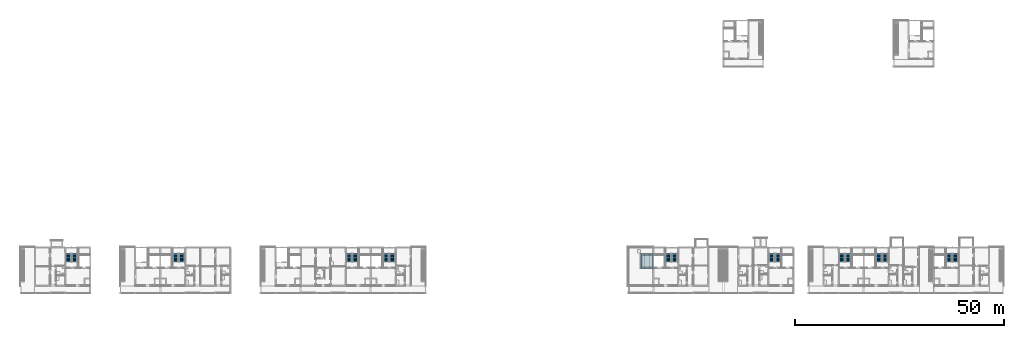
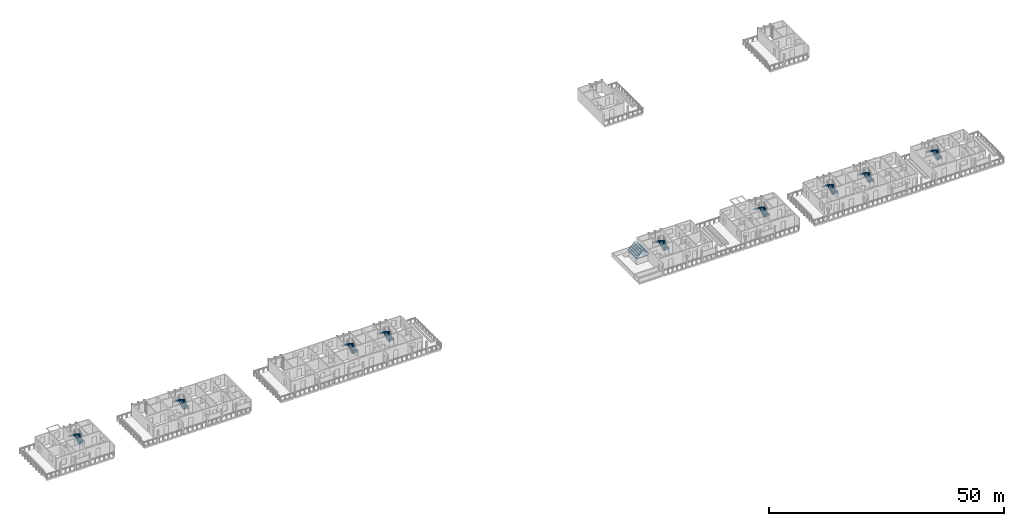
# One storey, part 40 of 55: 18 stair flights, 1 roof, 9 elements without a shape of their own.
"""IFC4 building model written with IfcOpenShell, lengths in metres."""

from ifc_helpers import new_model, si_unit, direction, frame, origin, place, context, subcontext, project, spatial, polyline, outline, extrude, material, type_object, element, aggregate, save


model = new_model("IFC4")

# Units and contexts
model_context = context("Model", 3, precision=1e-05, world=origin(), true_north=direction((0.0, 1.0)))
body_context = subcontext(model_context, "Body", "Model", "MODEL_VIEW")
ifc_project = project(units=[si_unit("LENGTHUNIT", "METRE"), si_unit("AREAUNIT", "SQUARE_METRE"), si_unit("VOLUMEUNIT", "CUBIC_METRE"), si_unit("PLANEANGLEUNIT", "RADIAN"), si_unit("MASSUNIT", "GRAM", prefix="KILO")], contexts=[model_context])

# Site, building, storey
site_placement = place(None, origin())
site = spatial("IfcSite", under=ifc_project, at=site_placement, CompositionType="ELEMENT")
building_placement = place(site_placement, origin())
building = spatial("IfcBuilding", under=site, at=building_placement, Name="Ridgestep Commons", CompositionType="ELEMENT")
storey_placement = place(building_placement, frame((0.0, 0.0, 36.0)))
storey = spatial("IfcBuildingStorey", under=building, at=storey_placement, Name="L12", CompositionType="ELEMENT", Elevation=36.0)

# Stair, stair flights
ifc_material_1 = material(Name="Precast concrete C40/50", Category="concrete")
stair_type = type_object("IfcStairType", Name="Escape stair 1400", PredefinedType="HALF_TURN_STAIR", material=ifc_material_1)
stair_1_placement = place(storey_placement, origin())
stair_1 = element("IfcStair", 1, at=stair_1_placement, inside=storey, type_object=stair_type, Name="L12 Escape stair A1C", PredefinedType="HALF_TURN_STAIR")
ifc_material_2 = material(Name="Precast concrete C40/50", Category="concrete")
stair_flight_type = type_object("IfcStairFlightType", Name="Stair flight 1400", PredefinedType="STRAIGHT", material=ifc_material_2)
stair_flight_1_placement = place(storey_placement, frame((25.125, 19.35009765625, 0.0), z_axis=(0.0, 0.0, 1.0), x_axis=(0.0, 1.0, 0.0)))
stair_flight_1 = element("IfcStairFlight", 2, at=stair_flight_1_placement, type_object=stair_flight_type, Name="A1C flight 1", NumberOfRisers=8, NumberOfTreads=7, PredefinedType="STRAIGHT", RiserHeight=0.1875, TreadLength=0.28, context=body_context, shape_type="SweptSolid", body=[
    extrude(outline(polyline([(0.0, 0.0), (0.0, 0.1875), (0.280029296875, 0.1875), (0.280029296875, 0.375), (0.56005859375, 0.375), (0.56005859375, 0.5625), (0.840087890625, 0.5625), (0.840087890625, 0.75), (1.1201171875, 0.75), (1.1201171875, 0.9375), (1.39990234375, 0.9375), (1.39990234375, 1.125), (1.679931640625, 1.125), (1.679931640625, 1.3125), (1.9599609375, 1.3125), (1.9599609375, 1.5), (1.9599609375, 1.132080078125), (0.26953125, 0.0), (0.0, 0.0)])), frame((0.0, 0.699951171875, 0.0), z_axis=(0.0, -1.0, 0.0), x_axis=(1.0, 0.0, 0.0)), (0.0, 0.0, 1.0), 0.695068359375),
    extrude(outline(polyline([(0.0, 0.0), (0.0, 0.1875), (0.280029296875, 0.1875), (0.280029296875, 0.375), (0.56005859375, 0.375), (0.56005859375, 0.5625), (0.840087890625, 0.5625), (0.840087890625, 0.75), (1.1201171875, 0.75), (1.1201171875, 0.9375), (1.39990234375, 0.9375), (1.39990234375, 1.125), (1.679931640625, 1.125), (1.679931640625, 1.3125), (1.9599609375, 1.3125), (1.9599609375, 1.5), (1.9599609375, 1.132080078125), (0.26953125, 0.0), (0.0, 0.0)])), frame((0.0, -0.0048828125, 0.0), z_axis=(0.0, -1.0, 0.0), x_axis=(1.0, 0.0, 0.0)), (0.0, 0.0, 1.0), 0.695068359375),
])
stair_flight_2_placement = place(storey_placement, frame((23.625, 21.31005859375, 1.5), z_axis=(0.0, 0.0, 1.0), x_axis=(0.0, -1.0, 0.0)))
stair_flight_2 = element("IfcStairFlight", 3, at=stair_flight_2_placement, type_object=stair_flight_type, Name="A1C flight 2", NumberOfRisers=8, NumberOfTreads=7, PredefinedType="STRAIGHT", RiserHeight=0.1875, TreadLength=0.28, context=body_context, shape_type="SweptSolid", body=[
    extrude(outline(polyline([(0.0, 0.0), (0.0, 0.1875), (0.280029296875, 0.1875), (0.280029296875, 0.375), (0.56005859375, 0.375), (0.56005859375, 0.5625), (0.840087890625, 0.5625), (0.840087890625, 0.75), (1.1201171875, 0.75), (1.1201171875, 0.9375), (1.39990234375, 0.9375), (1.39990234375, 1.125), (1.679931640625, 1.125), (1.679931640625, 1.3125), (1.9599609375, 1.3125), (1.9599609375, 1.5), (1.9599609375, 1.132080078125), (0.26953125, 0.0), (0.0, 0.0)])), frame((0.0, 0.699951171875, 0.0), z_axis=(0.0, -1.0, 0.0), x_axis=(1.0, 0.0, 0.0)), (0.0, 0.0, 1.0), 0.695068359375),
    extrude(outline(polyline([(0.0, 0.0), (0.0, 0.1875), (0.280029296875, 0.1875), (0.280029296875, 0.375), (0.56005859375, 0.375), (0.56005859375, 0.5625), (0.840087890625, 0.5625), (0.840087890625, 0.75), (1.1201171875, 0.75), (1.1201171875, 0.9375), (1.39990234375, 0.9375), (1.39990234375, 1.125), (1.679931640625, 1.125), (1.679931640625, 1.3125), (1.9599609375, 1.3125), (1.9599609375, 1.5), (1.9599609375, 1.132080078125), (0.26953125, 0.0), (0.0, 0.0)])), frame((0.0, -0.0048828125, 0.0), z_axis=(0.0, -1.0, 0.0), x_axis=(1.0, 0.0, 0.0)), (0.0, 0.0, 1.0), 0.695068359375),
])
aggregate(stair_1, [stair_flight_1, stair_flight_2])

stair_2_placement = place(storey_placement, origin())
stair_2 = element("IfcStair", 4, at=stair_2_placement, inside=storey, type_object=stair_type, Name="L12 Escape stair A3C", PredefinedType="HALF_TURN_STAIR")
stair_flight_3_placement = place(storey_placement, frame((50.77490234375, 19.35009765625, 0.0), z_axis=(0.0, 0.0, 1.0), x_axis=(0.0, 1.0, 0.0)))
stair_flight_3 = element("IfcStairFlight", 5, at=stair_flight_3_placement, type_object=stair_flight_type, Name="A3C flight 1", NumberOfRisers=8, NumberOfTreads=7, PredefinedType="STRAIGHT", RiserHeight=0.1875, TreadLength=0.28, context=body_context, shape_type="SweptSolid", body=[
    extrude(outline(polyline([(0.0, 0.0), (0.0, 0.1875), (0.280029296875, 0.1875), (0.280029296875, 0.375), (0.56005859375, 0.375), (0.56005859375, 0.5625), (0.840087890625, 0.5625), (0.840087890625, 0.75), (1.1201171875, 0.75), (1.1201171875, 0.9375), (1.39990234375, 0.9375), (1.39990234375, 1.125), (1.679931640625, 1.125), (1.679931640625, 1.3125), (1.9599609375, 1.3125), (1.9599609375, 1.5), (1.9599609375, 1.132080078125), (0.26953125, 0.0), (0.0, 0.0)])), frame((0.0, 0.699951171875, 0.0), z_axis=(0.0, -1.0, 0.0), x_axis=(1.0, 0.0, 0.0)), (0.0, 0.0, 1.0), 0.695068359375),
    extrude(outline(polyline([(0.0, 0.0), (0.0, 0.1875), (0.280029296875, 0.1875), (0.280029296875, 0.375), (0.56005859375, 0.375), (0.56005859375, 0.5625), (0.840087890625, 0.5625), (0.840087890625, 0.75), (1.1201171875, 0.75), (1.1201171875, 0.9375), (1.39990234375, 0.9375), (1.39990234375, 1.125), (1.679931640625, 1.125), (1.679931640625, 1.3125), (1.9599609375, 1.3125), (1.9599609375, 1.5), (1.9599609375, 1.132080078125), (0.26953125, 0.0), (0.0, 0.0)])), frame((0.0, -0.0048828125, 0.0), z_axis=(0.0, -1.0, 0.0), x_axis=(1.0, 0.0, 0.0)), (0.0, 0.0, 1.0), 0.695068359375),
])
stair_flight_4_placement = place(storey_placement, frame((49.27490234375, 21.31005859375, 1.5), z_axis=(0.0, 0.0, 1.0), x_axis=(0.0, -1.0, 0.0)))
stair_flight_4 = element("IfcStairFlight", 6, at=stair_flight_4_placement, type_object=stair_flight_type, Name="A3C flight 2", NumberOfRisers=8, NumberOfTreads=7, PredefinedType="STRAIGHT", RiserHeight=0.1875, TreadLength=0.28, context=body_context, shape_type="SweptSolid", body=[
    extrude(outline(polyline([(0.0, 0.0), (0.0, 0.1875), (0.280029296875, 0.1875), (0.280029296875, 0.375), (0.56005859375, 0.375), (0.56005859375, 0.5625), (0.840087890625, 0.5625), (0.840087890625, 0.75), (1.1201171875, 0.75), (1.1201171875, 0.9375), (1.39990234375, 0.9375), (1.39990234375, 1.125), (1.679931640625, 1.125), (1.679931640625, 1.3125), (1.9599609375, 1.3125), (1.9599609375, 1.5), (1.9599609375, 1.132080078125), (0.26953125, 0.0), (0.0, 0.0)])), frame((0.0, 0.699951171875, 0.0), z_axis=(0.0, -1.0, 0.0), x_axis=(1.0, 0.0, 0.0)), (0.0, 0.0, 1.0), 0.695068359375),
    extrude(outline(polyline([(0.0, 0.0), (0.0, 0.1875), (0.280029296875, 0.1875), (0.280029296875, 0.375), (0.56005859375, 0.375), (0.56005859375, 0.5625), (0.840087890625, 0.5625), (0.840087890625, 0.75), (1.1201171875, 0.75), (1.1201171875, 0.9375), (1.39990234375, 0.9375), (1.39990234375, 1.125), (1.679931640625, 1.125), (1.679931640625, 1.3125), (1.9599609375, 1.3125), (1.9599609375, 1.5), (1.9599609375, 1.132080078125), (0.26953125, 0.0), (0.0, 0.0)])), frame((0.0, -0.0048828125, 0.0), z_axis=(0.0, -1.0, 0.0), x_axis=(1.0, 0.0, 0.0)), (0.0, 0.0, 1.0), 0.695068359375),
])
aggregate(stair_2, [stair_flight_3, stair_flight_4])

stair_3_placement = place(storey_placement, origin())
stair_3 = element("IfcStair", 7, at=stair_3_placement, inside=storey, type_object=stair_type, Name="L12 Escape stair A5C", PredefinedType="HALF_TURN_STAIR")
stair_flight_5_placement = place(storey_placement, frame((92.324951171875, 19.35009765625, 0.0), z_axis=(0.0, 0.0, 1.0), x_axis=(0.0, 1.0, 0.0)))
stair_flight_5 = element("IfcStairFlight", 8, at=stair_flight_5_placement, type_object=stair_flight_type, Name="A5C flight 1", NumberOfRisers=8, NumberOfTreads=7, PredefinedType="STRAIGHT", RiserHeight=0.1875, TreadLength=0.28, context=body_context, shape_type="SweptSolid", body=[
    extrude(outline(polyline([(0.0, 0.0), (0.0, 0.1875), (0.280029296875, 0.1875), (0.280029296875, 0.375), (0.56005859375, 0.375), (0.56005859375, 0.5625), (0.840087890625, 0.5625), (0.840087890625, 0.75), (1.1201171875, 0.75), (1.1201171875, 0.9375), (1.39990234375, 0.9375), (1.39990234375, 1.125), (1.679931640625, 1.125), (1.679931640625, 1.3125), (1.9599609375, 1.3125), (1.9599609375, 1.5), (1.9599609375, 1.132080078125), (0.26953125, 0.0), (0.0, 0.0)])), frame((0.0, 0.699951171875, 0.0), z_axis=(0.0, -1.0, 0.0), x_axis=(1.0, 0.0, 0.0)), (0.0, 0.0, 1.0), 0.695068359375),
    extrude(outline(polyline([(0.0, 0.0), (0.0, 0.1875), (0.280029296875, 0.1875), (0.280029296875, 0.375), (0.56005859375, 0.375), (0.56005859375, 0.5625), (0.840087890625, 0.5625), (0.840087890625, 0.75), (1.1201171875, 0.75), (1.1201171875, 0.9375), (1.39990234375, 0.9375), (1.39990234375, 1.125), (1.679931640625, 1.125), (1.679931640625, 1.3125), (1.9599609375, 1.3125), (1.9599609375, 1.5), (1.9599609375, 1.132080078125), (0.26953125, 0.0), (0.0, 0.0)])), frame((0.0, -0.0048828125, 0.0), z_axis=(0.0, -1.0, 0.0), x_axis=(1.0, 0.0, 0.0)), (0.0, 0.0, 1.0), 0.695068359375),
])
stair_flight_6_placement = place(storey_placement, frame((90.824951171875, 21.31005859375, 1.5), z_axis=(0.0, 0.0, 1.0), x_axis=(0.0, -1.0, 0.0)))
stair_flight_6 = element("IfcStairFlight", 9, at=stair_flight_6_placement, type_object=stair_flight_type, Name="A5C flight 2", NumberOfRisers=8, NumberOfTreads=7, PredefinedType="STRAIGHT", RiserHeight=0.1875, TreadLength=0.28, context=body_context, shape_type="SweptSolid", body=[
    extrude(outline(polyline([(0.0, 0.0), (0.0, 0.1875), (0.280029296875, 0.1875), (0.280029296875, 0.375), (0.56005859375, 0.375), (0.56005859375, 0.5625), (0.840087890625, 0.5625), (0.840087890625, 0.75), (1.1201171875, 0.75), (1.1201171875, 0.9375), (1.39990234375, 0.9375), (1.39990234375, 1.125), (1.679931640625, 1.125), (1.679931640625, 1.3125), (1.9599609375, 1.3125), (1.9599609375, 1.5), (1.9599609375, 1.132080078125), (0.26953125, 0.0), (0.0, 0.0)])), frame((0.0, 0.699951171875, 0.0), z_axis=(0.0, -1.0, 0.0), x_axis=(1.0, 0.0, 0.0)), (0.0, 0.0, 1.0), 0.695068359375),
    extrude(outline(polyline([(0.0, 0.0), (0.0, 0.1875), (0.280029296875, 0.1875), (0.280029296875, 0.375), (0.56005859375, 0.375), (0.56005859375, 0.5625), (0.840087890625, 0.5625), (0.840087890625, 0.75), (1.1201171875, 0.75), (1.1201171875, 0.9375), (1.39990234375, 0.9375), (1.39990234375, 1.125), (1.679931640625, 1.125), (1.679931640625, 1.3125), (1.9599609375, 1.3125), (1.9599609375, 1.5), (1.9599609375, 1.132080078125), (0.26953125, 0.0), (0.0, 0.0)])), frame((0.0, -0.0048828125, 0.0), z_axis=(0.0, -1.0, 0.0), x_axis=(1.0, 0.0, 0.0)), (0.0, 0.0, 1.0), 0.695068359375),
])
aggregate(stair_3, [stair_flight_5, stair_flight_6])

stair_4_placement = place(storey_placement, origin())
stair_4 = element("IfcStair", 10, at=stair_4_placement, inside=storey, type_object=stair_type, Name="L12 Escape stair A6C", PredefinedType="HALF_TURN_STAIR")
stair_flight_7_placement = place(storey_placement, frame((101.175048828125, 19.35009765625, 0.0), z_axis=(0.0, 0.0, 1.0), x_axis=(0.0, 1.0, 0.0)))
stair_flight_7 = element("IfcStairFlight", 11, at=stair_flight_7_placement, type_object=stair_flight_type, Name="A6C flight 1", NumberOfRisers=8, NumberOfTreads=7, PredefinedType="STRAIGHT", RiserHeight=0.1875, TreadLength=0.28, context=body_context, shape_type="SweptSolid", body=[
    extrude(outline(polyline([(0.0, 0.0), (0.0, 0.1875), (0.280029296875, 0.1875), (0.280029296875, 0.375), (0.56005859375, 0.375), (0.56005859375, 0.5625), (0.840087890625, 0.5625), (0.840087890625, 0.75), (1.1201171875, 0.75), (1.1201171875, 0.9375), (1.39990234375, 0.9375), (1.39990234375, 1.125), (1.679931640625, 1.125), (1.679931640625, 1.3125), (1.9599609375, 1.3125), (1.9599609375, 1.5), (1.9599609375, 1.132080078125), (0.26953125, 0.0), (0.0, 0.0)])), frame((0.0, 0.699951171875, 0.0), z_axis=(0.0, -1.0, 0.0), x_axis=(1.0, 0.0, 0.0)), (0.0, 0.0, 1.0), 0.695068359375),
    extrude(outline(polyline([(0.0, 0.0), (0.0, 0.1875), (0.280029296875, 0.1875), (0.280029296875, 0.375), (0.56005859375, 0.375), (0.56005859375, 0.5625), (0.840087890625, 0.5625), (0.840087890625, 0.75), (1.1201171875, 0.75), (1.1201171875, 0.9375), (1.39990234375, 0.9375), (1.39990234375, 1.125), (1.679931640625, 1.125), (1.679931640625, 1.3125), (1.9599609375, 1.3125), (1.9599609375, 1.5), (1.9599609375, 1.132080078125), (0.26953125, 0.0), (0.0, 0.0)])), frame((0.0, -0.0048828125, 0.0), z_axis=(0.0, -1.0, 0.0), x_axis=(1.0, 0.0, 0.0)), (0.0, 0.0, 1.0), 0.695068359375),
])
stair_flight_8_placement = place(storey_placement, frame((99.675048828125, 21.31005859375, 1.5), z_axis=(0.0, 0.0, 1.0), x_axis=(0.0, -1.0, 0.0)))
stair_flight_8 = element("IfcStairFlight", 12, at=stair_flight_8_placement, type_object=stair_flight_type, Name="A6C flight 2", NumberOfRisers=8, NumberOfTreads=7, PredefinedType="STRAIGHT", RiserHeight=0.1875, TreadLength=0.28, context=body_context, shape_type="SweptSolid", body=[
    extrude(outline(polyline([(0.0, 0.0), (0.0, 0.1875), (0.280029296875, 0.1875), (0.280029296875, 0.375), (0.56005859375, 0.375), (0.56005859375, 0.5625), (0.840087890625, 0.5625), (0.840087890625, 0.75), (1.1201171875, 0.75), (1.1201171875, 0.9375), (1.39990234375, 0.9375), (1.39990234375, 1.125), (1.679931640625, 1.125), (1.679931640625, 1.3125), (1.9599609375, 1.3125), (1.9599609375, 1.5), (1.9599609375, 1.132080078125), (0.26953125, 0.0), (0.0, 0.0)])), frame((0.0, 0.699951171875, 0.0), z_axis=(0.0, -1.0, 0.0), x_axis=(1.0, 0.0, 0.0)), (0.0, 0.0, 1.0), 0.695068359375),
    extrude(outline(polyline([(0.0, 0.0), (0.0, 0.1875), (0.280029296875, 0.1875), (0.280029296875, 0.375), (0.56005859375, 0.375), (0.56005859375, 0.5625), (0.840087890625, 0.5625), (0.840087890625, 0.75), (1.1201171875, 0.75), (1.1201171875, 0.9375), (1.39990234375, 0.9375), (1.39990234375, 1.125), (1.679931640625, 1.125), (1.679931640625, 1.3125), (1.9599609375, 1.3125), (1.9599609375, 1.5), (1.9599609375, 1.132080078125), (0.26953125, 0.0), (0.0, 0.0)])), frame((0.0, -0.0048828125, 0.0), z_axis=(0.0, -1.0, 0.0), x_axis=(1.0, 0.0, 0.0)), (0.0, 0.0, 1.0), 0.695068359375),
])
aggregate(stair_4, [stair_flight_7, stair_flight_8])

stair_5_placement = place(storey_placement, origin())
stair_5 = element("IfcStair", 13, at=stair_5_placement, inside=storey, type_object=stair_type, Name="L12 Escape stair D2C", PredefinedType="HALF_TURN_STAIR")
stair_flight_9_placement = place(storey_placement, frame((168.77490234375, 19.35009765625, 0.0), z_axis=(0.0, 0.0, 1.0), x_axis=(0.0, 1.0, 0.0)))
stair_flight_9 = element("IfcStairFlight", 14, at=stair_flight_9_placement, type_object=stair_flight_type, Name="D2C flight 1", NumberOfRisers=8, NumberOfTreads=7, PredefinedType="STRAIGHT", RiserHeight=0.1875, TreadLength=0.28, context=body_context, shape_type="SweptSolid", body=[
    extrude(outline(polyline([(0.0, 0.0), (0.0, 0.1875), (0.280029296875, 0.1875), (0.280029296875, 0.375), (0.56005859375, 0.375), (0.56005859375, 0.5625), (0.840087890625, 0.5625), (0.840087890625, 0.75), (1.1201171875, 0.75), (1.1201171875, 0.9375), (1.39990234375, 0.9375), (1.39990234375, 1.125), (1.679931640625, 1.125), (1.679931640625, 1.3125), (1.9599609375, 1.3125), (1.9599609375, 1.5), (1.9599609375, 1.132080078125), (0.26953125, 0.0), (0.0, 0.0)])), frame((0.0, 0.699951171875, 0.0), z_axis=(0.0, -1.0, 0.0), x_axis=(1.0, 0.0, 0.0)), (0.0, 0.0, 1.0), 0.695068359375),
    extrude(outline(polyline([(0.0, 0.0), (0.0, 0.1875), (0.280029296875, 0.1875), (0.280029296875, 0.375), (0.56005859375, 0.375), (0.56005859375, 0.5625), (0.840087890625, 0.5625), (0.840087890625, 0.75), (1.1201171875, 0.75), (1.1201171875, 0.9375), (1.39990234375, 0.9375), (1.39990234375, 1.125), (1.679931640625, 1.125), (1.679931640625, 1.3125), (1.9599609375, 1.3125), (1.9599609375, 1.5), (1.9599609375, 1.132080078125), (0.26953125, 0.0), (0.0, 0.0)])), frame((0.0, -0.0048828125, 0.0), z_axis=(0.0, -1.0, 0.0), x_axis=(1.0, 0.0, 0.0)), (0.0, 0.0, 1.0), 0.695068359375),
])
stair_flight_10_placement = place(storey_placement, frame((167.27490234375, 21.31005859375, 1.5), z_axis=(0.0, 0.0, 1.0), x_axis=(0.0, -1.0, 0.0)))
stair_flight_10 = element("IfcStairFlight", 15, at=stair_flight_10_placement, type_object=stair_flight_type, Name="D2C flight 2", NumberOfRisers=8, NumberOfTreads=7, PredefinedType="STRAIGHT", RiserHeight=0.1875, TreadLength=0.28, context=body_context, shape_type="SweptSolid", body=[
    extrude(outline(polyline([(0.0, 0.0), (0.0, 0.1875), (0.280029296875, 0.1875), (0.280029296875, 0.375), (0.56005859375, 0.375), (0.56005859375, 0.5625), (0.840087890625, 0.5625), (0.840087890625, 0.75), (1.1201171875, 0.75), (1.1201171875, 0.9375), (1.39990234375, 0.9375), (1.39990234375, 1.125), (1.679931640625, 1.125), (1.679931640625, 1.3125), (1.9599609375, 1.3125), (1.9599609375, 1.5), (1.9599609375, 1.132080078125), (0.26953125, 0.0), (0.0, 0.0)])), frame((0.0, 0.699951171875, 0.0), z_axis=(0.0, -1.0, 0.0), x_axis=(1.0, 0.0, 0.0)), (0.0, 0.0, 1.0), 0.695068359375),
    extrude(outline(polyline([(0.0, 0.0), (0.0, 0.1875), (0.280029296875, 0.1875), (0.280029296875, 0.375), (0.56005859375, 0.375), (0.56005859375, 0.5625), (0.840087890625, 0.5625), (0.840087890625, 0.75), (1.1201171875, 0.75), (1.1201171875, 0.9375), (1.39990234375, 0.9375), (1.39990234375, 1.125), (1.679931640625, 1.125), (1.679931640625, 1.3125), (1.9599609375, 1.3125), (1.9599609375, 1.5), (1.9599609375, 1.132080078125), (0.26953125, 0.0), (0.0, 0.0)])), frame((0.0, -0.0048828125, 0.0), z_axis=(0.0, -1.0, 0.0), x_axis=(1.0, 0.0, 0.0)), (0.0, 0.0, 1.0), 0.695068359375),
])
aggregate(stair_5, [stair_flight_9, stair_flight_10])

stair_6_placement = place(storey_placement, origin())
stair_6 = element("IfcStair", 16, at=stair_6_placement, inside=storey, type_object=stair_type, Name="L12 Escape stair D3C", PredefinedType="HALF_TURN_STAIR")
stair_flight_11_placement = place(storey_placement, frame((193.52490234375, 19.35009765625, 0.0), z_axis=(0.0, 0.0, 1.0), x_axis=(0.0, 1.0, 0.0)))
stair_flight_11 = element("IfcStairFlight", 17, at=stair_flight_11_placement, type_object=stair_flight_type, Name="D3C flight 1", NumberOfRisers=8, NumberOfTreads=7, PredefinedType="STRAIGHT", RiserHeight=0.1875, TreadLength=0.28, context=body_context, shape_type="SweptSolid", body=[
    extrude(outline(polyline([(0.0, 0.0), (0.0, 0.1875), (0.280029296875, 0.1875), (0.280029296875, 0.375), (0.56005859375, 0.375), (0.56005859375, 0.5625), (0.840087890625, 0.5625), (0.840087890625, 0.75), (1.1201171875, 0.75), (1.1201171875, 0.9375), (1.39990234375, 0.9375), (1.39990234375, 1.125), (1.679931640625, 1.125), (1.679931640625, 1.3125), (1.9599609375, 1.3125), (1.9599609375, 1.5), (1.9599609375, 1.132080078125), (0.26953125, 0.0), (0.0, 0.0)])), frame((0.0, 0.699951171875, 0.0), z_axis=(0.0, -1.0, 0.0), x_axis=(1.0, 0.0, 0.0)), (0.0, 0.0, 1.0), 0.695068359375),
    extrude(outline(polyline([(0.0, 0.0), (0.0, 0.1875), (0.280029296875, 0.1875), (0.280029296875, 0.375), (0.56005859375, 0.375), (0.56005859375, 0.5625), (0.840087890625, 0.5625), (0.840087890625, 0.75), (1.1201171875, 0.75), (1.1201171875, 0.9375), (1.39990234375, 0.9375), (1.39990234375, 1.125), (1.679931640625, 1.125), (1.679931640625, 1.3125), (1.9599609375, 1.3125), (1.9599609375, 1.5), (1.9599609375, 1.132080078125), (0.26953125, 0.0), (0.0, 0.0)])), frame((0.0, -0.0048828125, 0.0), z_axis=(0.0, -1.0, 0.0), x_axis=(1.0, 0.0, 0.0)), (0.0, 0.0, 1.0), 0.695068359375),
])
stair_flight_12_placement = place(storey_placement, frame((192.02490234375, 21.31005859375, 1.5), z_axis=(0.0, 0.0, 1.0), x_axis=(0.0, -1.0, 0.0)))
stair_flight_12 = element("IfcStairFlight", 18, at=stair_flight_12_placement, type_object=stair_flight_type, Name="D3C flight 2", NumberOfRisers=8, NumberOfTreads=7, PredefinedType="STRAIGHT", RiserHeight=0.1875, TreadLength=0.28, context=body_context, shape_type="SweptSolid", body=[
    extrude(outline(polyline([(0.0, 0.0), (0.0, 0.1875), (0.280029296875, 0.1875), (0.280029296875, 0.375), (0.56005859375, 0.375), (0.56005859375, 0.5625), (0.840087890625, 0.5625), (0.840087890625, 0.75), (1.1201171875, 0.75), (1.1201171875, 0.9375), (1.39990234375, 0.9375), (1.39990234375, 1.125), (1.679931640625, 1.125), (1.679931640625, 1.3125), (1.9599609375, 1.3125), (1.9599609375, 1.5), (1.9599609375, 1.132080078125), (0.26953125, 0.0), (0.0, 0.0)])), frame((0.0, 0.699951171875, 0.0), z_axis=(0.0, -1.0, 0.0), x_axis=(1.0, 0.0, 0.0)), (0.0, 0.0, 1.0), 0.695068359375),
    extrude(outline(polyline([(0.0, 0.0), (0.0, 0.1875), (0.280029296875, 0.1875), (0.280029296875, 0.375), (0.56005859375, 0.375), (0.56005859375, 0.5625), (0.840087890625, 0.5625), (0.840087890625, 0.75), (1.1201171875, 0.75), (1.1201171875, 0.9375), (1.39990234375, 0.9375), (1.39990234375, 1.125), (1.679931640625, 1.125), (1.679931640625, 1.3125), (1.9599609375, 1.3125), (1.9599609375, 1.5), (1.9599609375, 1.132080078125), (0.26953125, 0.0), (0.0, 0.0)])), frame((0.0, -0.0048828125, 0.0), z_axis=(0.0, -1.0, 0.0), x_axis=(1.0, 0.0, 0.0)), (0.0, 0.0, 1.0), 0.695068359375),
])
aggregate(stair_6, [stair_flight_11, stair_flight_12])

stair_7_placement = place(storey_placement, origin())
stair_7 = element("IfcStair", 19, at=stair_7_placement, inside=storey, type_object=stair_type, Name="L12 Escape stair D4C", PredefinedType="HALF_TURN_STAIR")
stair_flight_13_placement = place(storey_placement, frame((210.324951171875, 19.35009765625, 0.0), z_axis=(0.0, 0.0, 1.0), x_axis=(0.0, 1.0, 0.0)))
stair_flight_13 = element("IfcStairFlight", 20, at=stair_flight_13_placement, type_object=stair_flight_type, Name="D4C flight 1", NumberOfRisers=8, NumberOfTreads=7, PredefinedType="STRAIGHT", RiserHeight=0.1875, TreadLength=0.28, context=body_context, shape_type="SweptSolid", body=[
    extrude(outline(polyline([(0.0, 0.0), (0.0, 0.1875), (0.280029296875, 0.1875), (0.280029296875, 0.375), (0.56005859375, 0.375), (0.56005859375, 0.5625), (0.840087890625, 0.5625), (0.840087890625, 0.75), (1.1201171875, 0.75), (1.1201171875, 0.9375), (1.39990234375, 0.9375), (1.39990234375, 1.125), (1.679931640625, 1.125), (1.679931640625, 1.3125), (1.9599609375, 1.3125), (1.9599609375, 1.5), (1.9599609375, 1.132080078125), (0.26953125, 0.0), (0.0, 0.0)])), frame((0.0, 0.699951171875, 0.0), z_axis=(0.0, -1.0, 0.0), x_axis=(1.0, 0.0, 0.0)), (0.0, 0.0, 1.0), 0.695068359375),
    extrude(outline(polyline([(0.0, 0.0), (0.0, 0.1875), (0.280029296875, 0.1875), (0.280029296875, 0.375), (0.56005859375, 0.375), (0.56005859375, 0.5625), (0.840087890625, 0.5625), (0.840087890625, 0.75), (1.1201171875, 0.75), (1.1201171875, 0.9375), (1.39990234375, 0.9375), (1.39990234375, 1.125), (1.679931640625, 1.125), (1.679931640625, 1.3125), (1.9599609375, 1.3125), (1.9599609375, 1.5), (1.9599609375, 1.132080078125), (0.26953125, 0.0), (0.0, 0.0)])), frame((0.0, -0.0048828125, 0.0), z_axis=(0.0, -1.0, 0.0), x_axis=(1.0, 0.0, 0.0)), (0.0, 0.0, 1.0), 0.695068359375),
])
stair_flight_14_placement = place(storey_placement, frame((208.824951171875, 21.31005859375, 1.5), z_axis=(0.0, 0.0, 1.0), x_axis=(0.0, -1.0, 0.0)))
stair_flight_14 = element("IfcStairFlight", 21, at=stair_flight_14_placement, type_object=stair_flight_type, Name="D4C flight 2", NumberOfRisers=8, NumberOfTreads=7, PredefinedType="STRAIGHT", RiserHeight=0.1875, TreadLength=0.28, context=body_context, shape_type="SweptSolid", body=[
    extrude(outline(polyline([(0.0, 0.0), (0.0, 0.1875), (0.280029296875, 0.1875), (0.280029296875, 0.375), (0.56005859375, 0.375), (0.56005859375, 0.5625), (0.840087890625, 0.5625), (0.840087890625, 0.75), (1.1201171875, 0.75), (1.1201171875, 0.9375), (1.39990234375, 0.9375), (1.39990234375, 1.125), (1.679931640625, 1.125), (1.679931640625, 1.3125), (1.9599609375, 1.3125), (1.9599609375, 1.5), (1.9599609375, 1.132080078125), (0.26953125, 0.0), (0.0, 0.0)])), frame((0.0, 0.699951171875, 0.0), z_axis=(0.0, -1.0, 0.0), x_axis=(1.0, 0.0, 0.0)), (0.0, 0.0, 1.0), 0.695068359375),
    extrude(outline(polyline([(0.0, 0.0), (0.0, 0.1875), (0.280029296875, 0.1875), (0.280029296875, 0.375), (0.56005859375, 0.375), (0.56005859375, 0.5625), (0.840087890625, 0.5625), (0.840087890625, 0.75), (1.1201171875, 0.75), (1.1201171875, 0.9375), (1.39990234375, 0.9375), (1.39990234375, 1.125), (1.679931640625, 1.125), (1.679931640625, 1.3125), (1.9599609375, 1.3125), (1.9599609375, 1.5), (1.9599609375, 1.132080078125), (0.26953125, 0.0), (0.0, 0.0)])), frame((0.0, -0.0048828125, 0.0), z_axis=(0.0, -1.0, 0.0), x_axis=(1.0, 0.0, 0.0)), (0.0, 0.0, 1.0), 0.695068359375),
])
aggregate(stair_7, [stair_flight_13, stair_flight_14])

stair_8_placement = place(storey_placement, origin())
stair_8 = element("IfcStair", 22, at=stair_8_placement, inside=storey, type_object=stair_type, Name="L12 Escape stair D5C", PredefinedType="HALF_TURN_STAIR")
stair_flight_15_placement = place(storey_placement, frame((219.175048828125, 19.35009765625, 0.0), z_axis=(0.0, 0.0, 1.0), x_axis=(0.0, 1.0, 0.0)))
stair_flight_15 = element("IfcStairFlight", 23, at=stair_flight_15_placement, type_object=stair_flight_type, Name="D5C flight 1", NumberOfRisers=8, NumberOfTreads=7, PredefinedType="STRAIGHT", RiserHeight=0.1875, TreadLength=0.28, context=body_context, shape_type="SweptSolid", body=[
    extrude(outline(polyline([(0.0, 0.0), (0.0, 0.1875), (0.280029296875, 0.1875), (0.280029296875, 0.375), (0.56005859375, 0.375), (0.56005859375, 0.5625), (0.840087890625, 0.5625), (0.840087890625, 0.75), (1.1201171875, 0.75), (1.1201171875, 0.9375), (1.39990234375, 0.9375), (1.39990234375, 1.125), (1.679931640625, 1.125), (1.679931640625, 1.3125), (1.9599609375, 1.3125), (1.9599609375, 1.5), (1.9599609375, 1.132080078125), (0.26953125, 0.0), (0.0, 0.0)])), frame((0.0, 0.699951171875, 0.0), z_axis=(0.0, -1.0, 0.0), x_axis=(1.0, 0.0, 0.0)), (0.0, 0.0, 1.0), 0.695068359375),
    extrude(outline(polyline([(0.0, 0.0), (0.0, 0.1875), (0.280029296875, 0.1875), (0.280029296875, 0.375), (0.56005859375, 0.375), (0.56005859375, 0.5625), (0.840087890625, 0.5625), (0.840087890625, 0.75), (1.1201171875, 0.75), (1.1201171875, 0.9375), (1.39990234375, 0.9375), (1.39990234375, 1.125), (1.679931640625, 1.125), (1.679931640625, 1.3125), (1.9599609375, 1.3125), (1.9599609375, 1.5), (1.9599609375, 1.132080078125), (0.26953125, 0.0), (0.0, 0.0)])), frame((0.0, -0.0048828125, 0.0), z_axis=(0.0, -1.0, 0.0), x_axis=(1.0, 0.0, 0.0)), (0.0, 0.0, 1.0), 0.695068359375),
])
stair_flight_16_placement = place(storey_placement, frame((217.675048828125, 21.31005859375, 1.5), z_axis=(0.0, 0.0, 1.0), x_axis=(0.0, -1.0, 0.0)))
stair_flight_16 = element("IfcStairFlight", 24, at=stair_flight_16_placement, type_object=stair_flight_type, Name="D5C flight 2", NumberOfRisers=8, NumberOfTreads=7, PredefinedType="STRAIGHT", RiserHeight=0.1875, TreadLength=0.28, context=body_context, shape_type="SweptSolid", body=[
    extrude(outline(polyline([(0.0, 0.0), (0.0, 0.1875), (0.280029296875, 0.1875), (0.280029296875, 0.375), (0.56005859375, 0.375), (0.56005859375, 0.5625), (0.840087890625, 0.5625), (0.840087890625, 0.75), (1.1201171875, 0.75), (1.1201171875, 0.9375), (1.39990234375, 0.9375), (1.39990234375, 1.125), (1.679931640625, 1.125), (1.679931640625, 1.3125), (1.9599609375, 1.3125), (1.9599609375, 1.5), (1.9599609375, 1.132080078125), (0.26953125, 0.0), (0.0, 0.0)])), frame((0.0, 0.699951171875, 0.0), z_axis=(0.0, -1.0, 0.0), x_axis=(1.0, 0.0, 0.0)), (0.0, 0.0, 1.0), 0.695068359375),
    extrude(outline(polyline([(0.0, 0.0), (0.0, 0.1875), (0.280029296875, 0.1875), (0.280029296875, 0.375), (0.56005859375, 0.375), (0.56005859375, 0.5625), (0.840087890625, 0.5625), (0.840087890625, 0.75), (1.1201171875, 0.75), (1.1201171875, 0.9375), (1.39990234375, 0.9375), (1.39990234375, 1.125), (1.679931640625, 1.125), (1.679931640625, 1.3125), (1.9599609375, 1.3125), (1.9599609375, 1.5), (1.9599609375, 1.132080078125), (0.26953125, 0.0), (0.0, 0.0)])), frame((0.0, -0.0048828125, 0.0), z_axis=(0.0, -1.0, 0.0), x_axis=(1.0, 0.0, 0.0)), (0.0, 0.0, 1.0), 0.695068359375),
])
aggregate(stair_8, [stair_flight_15, stair_flight_16])

stair_9_placement = place(storey_placement, origin())
stair_9 = element("IfcStair", 25, at=stair_9_placement, inside=storey, type_object=stair_type, Name="L12 Escape stair D6C", PredefinedType="HALF_TURN_STAIR")
stair_flight_17_placement = place(storey_placement, frame((235.97509765625, 19.35009765625, 0.0), z_axis=(0.0, 0.0, 1.0), x_axis=(0.0, 1.0, 0.0)))
stair_flight_17 = element("IfcStairFlight", 26, at=stair_flight_17_placement, type_object=stair_flight_type, Name="D6C flight 1", NumberOfRisers=8, NumberOfTreads=7, PredefinedType="STRAIGHT", RiserHeight=0.1875, TreadLength=0.28, context=body_context, shape_type="SweptSolid", body=[
    extrude(outline(polyline([(0.0, 0.0), (0.0, 0.1875), (0.280029296875, 0.1875), (0.280029296875, 0.375), (0.56005859375, 0.375), (0.56005859375, 0.5625), (0.840087890625, 0.5625), (0.840087890625, 0.75), (1.1201171875, 0.75), (1.1201171875, 0.9375), (1.39990234375, 0.9375), (1.39990234375, 1.125), (1.679931640625, 1.125), (1.679931640625, 1.3125), (1.9599609375, 1.3125), (1.9599609375, 1.5), (1.9599609375, 1.132080078125), (0.26953125, 0.0), (0.0, 0.0)])), frame((0.0, 0.699951171875, 0.0), z_axis=(0.0, -1.0, 0.0), x_axis=(1.0, 0.0, 0.0)), (0.0, 0.0, 1.0), 0.695068359375),
    extrude(outline(polyline([(0.0, 0.0), (0.0, 0.1875), (0.280029296875, 0.1875), (0.280029296875, 0.375), (0.56005859375, 0.375), (0.56005859375, 0.5625), (0.840087890625, 0.5625), (0.840087890625, 0.75), (1.1201171875, 0.75), (1.1201171875, 0.9375), (1.39990234375, 0.9375), (1.39990234375, 1.125), (1.679931640625, 1.125), (1.679931640625, 1.3125), (1.9599609375, 1.3125), (1.9599609375, 1.5), (1.9599609375, 1.132080078125), (0.26953125, 0.0), (0.0, 0.0)])), frame((0.0, -0.0048828125, 0.0), z_axis=(0.0, -1.0, 0.0), x_axis=(1.0, 0.0, 0.0)), (0.0, 0.0, 1.0), 0.695068359375),
])
stair_flight_18_placement = place(storey_placement, frame((234.47509765625, 21.31005859375, 1.5), z_axis=(0.0, 0.0, 1.0), x_axis=(0.0, -1.0, 0.0)))
stair_flight_18 = element("IfcStairFlight", 27, at=stair_flight_18_placement, type_object=stair_flight_type, Name="D6C flight 2", NumberOfRisers=8, NumberOfTreads=7, PredefinedType="STRAIGHT", RiserHeight=0.1875, TreadLength=0.28, context=body_context, shape_type="SweptSolid", body=[
    extrude(outline(polyline([(0.0, 0.0), (0.0, 0.1875), (0.280029296875, 0.1875), (0.280029296875, 0.375), (0.56005859375, 0.375), (0.56005859375, 0.5625), (0.840087890625, 0.5625), (0.840087890625, 0.75), (1.1201171875, 0.75), (1.1201171875, 0.9375), (1.39990234375, 0.9375), (1.39990234375, 1.125), (1.679931640625, 1.125), (1.679931640625, 1.3125), (1.9599609375, 1.3125), (1.9599609375, 1.5), (1.9599609375, 1.132080078125), (0.26953125, 0.0), (0.0, 0.0)])), frame((0.0, 0.699951171875, 0.0), z_axis=(0.0, -1.0, 0.0), x_axis=(1.0, 0.0, 0.0)), (0.0, 0.0, 1.0), 0.695068359375),
    extrude(outline(polyline([(0.0, 0.0), (0.0, 0.1875), (0.280029296875, 0.1875), (0.280029296875, 0.375), (0.56005859375, 0.375), (0.56005859375, 0.5625), (0.840087890625, 0.5625), (0.840087890625, 0.75), (1.1201171875, 0.75), (1.1201171875, 0.9375), (1.39990234375, 0.9375), (1.39990234375, 1.125), (1.679931640625, 1.125), (1.679931640625, 1.3125), (1.9599609375, 1.3125), (1.9599609375, 1.5), (1.9599609375, 1.132080078125), (0.26953125, 0.0), (0.0, 0.0)])), frame((0.0, -0.0048828125, 0.0), z_axis=(0.0, -1.0, 0.0), x_axis=(1.0, 0.0, 0.0)), (0.0, 0.0, 1.0), 0.695068359375),
])
aggregate(stair_9, [stair_flight_17, stair_flight_18])

# Roof
ifc_material_3 = material(Name="Zinc-aluminium profiled sheet", Category="aluminium")
roof_type = type_object("IfcRoofType", Name="Crow-stepped gable crown 3275 x 3700", PredefinedType="USERDEFINED", material=ifc_material_3)
roof_placement = place(storey_placement, frame((160.47509765625, 19.449951171875, 1.699951171875), z_axis=(0.0, 0.0, 1.0), x_axis=(1.0, 0.0, 0.0)))
element("IfcRoof", 28, at=roof_placement, inside=storey, type_object=roof_type, Name="Crow-stepped gable crown D1C", ObjectType="Crow-stepped gable roof", PredefinedType="USERDEFINED", context=body_context, shape_type="SweptSolid", body=[
    extrude(outline(polyline([(0.0, 0.0), (3.27490234375, 0.0), (3.27490234375, 0.35009765625), (2.917724609375, 0.35009765625), (2.91552734375, 0.699951171875), (2.558349609375, 0.699951171875), (2.55615234375, 1.050048828125), (2.198974609375, 1.050048828125), (2.19677734375, 1.400146484375), (1.839599609375, 1.400146484375), (1.83740234375, 1.75), (1.4375, 1.75), (1.435546875, 1.400146484375), (1.078125, 1.400146484375), (1.076171875, 1.050048828125), (0.71875, 1.050048828125), (0.716796875, 0.699951171875), (0.359375, 0.699951171875), (0.357421875, 0.35009765625), (0.0, 0.35009765625), (0.0, 0.0)])), frame((0.0, 1.85009765625, 0.0), z_axis=(0.0, -1.0, 0.0), x_axis=(1.0, 0.0, 0.0)), (0.0, 0.0, 1.0), 3.699951171875),
])

save(model, "model.ifc")
